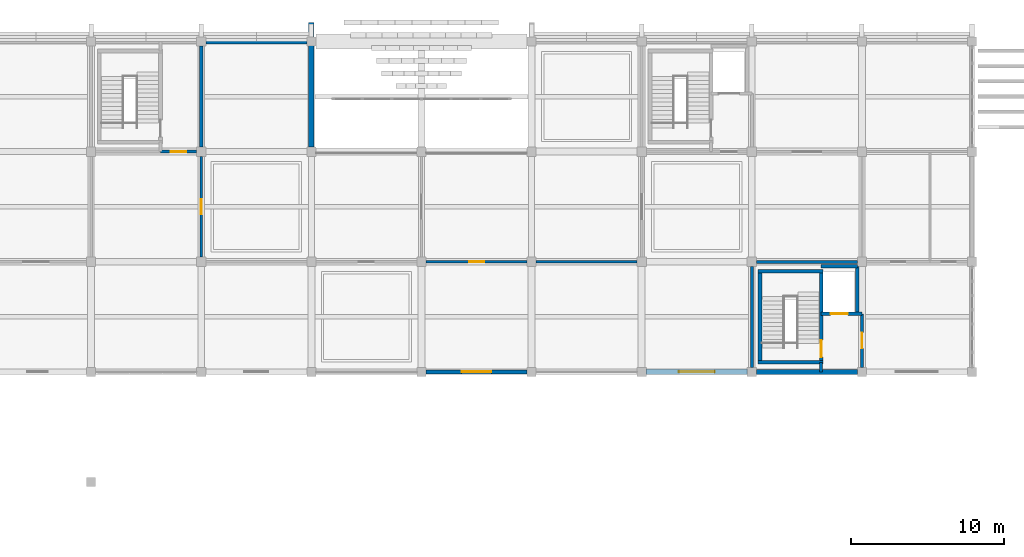
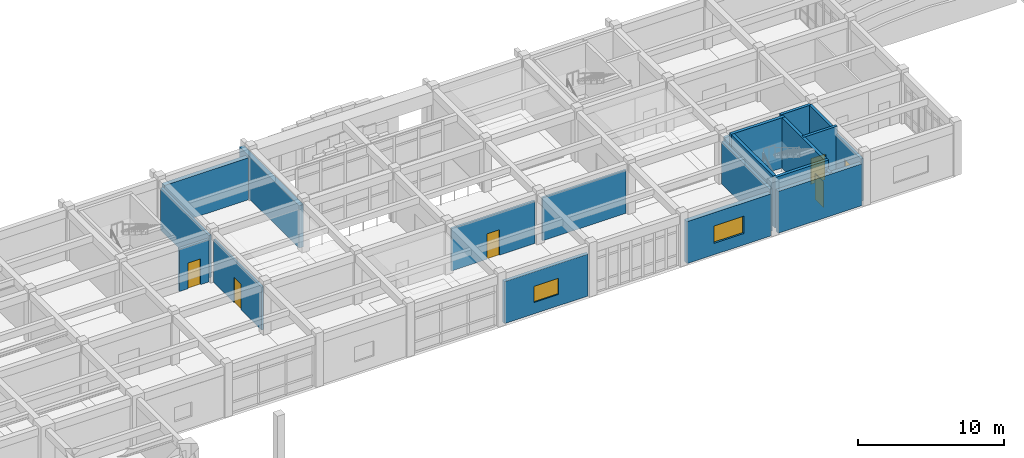
# One storey, part 66 of 81: 21 walls, 6 doors, 2 windows, 8 openings.
"""IFC4 building model written with IfcOpenShell, lengths in metres."""

from ifc_helpers import new_model, si_unit, direction, frame, frame_2d, origin, place, context, subcontext, project, spatial, rectangle, extrude, material, layer, layer_set, type_object, element, fill, save


model = new_model("IFC4")

# Units and contexts
model_context = context("Model", 3, precision=1e-05, world=origin(), true_north=direction((0.0, 1.0)))
body_context = subcontext(model_context, "Body", "Model", "MODEL_VIEW")
ifc_project = project(units=[si_unit("LENGTHUNIT", "METRE"), si_unit("AREAUNIT", "SQUARE_METRE"), si_unit("VOLUMEUNIT", "CUBIC_METRE"), si_unit("PLANEANGLEUNIT", "RADIAN"), si_unit("MASSUNIT", "GRAM", prefix="KILO")], contexts=[model_context])

# Site, building, storey
site_placement = place(None, origin())
site = spatial("IfcSite", under=ifc_project, at=site_placement, CompositionType="ELEMENT")
building_placement = place(site_placement, origin())
building = spatial("IfcBuilding", under=site, at=building_placement, Name="Kavelor Marine Aquarium", CompositionType="ELEMENT")
storey_placement = place(building_placement, frame((0.0, 0.0, 4.679931640625)))
storey = spatial("IfcBuildingStorey", under=building, at=storey_placement, Name="L01", CompositionType="ELEMENT", Elevation=4.679931640625)

# Wall, opening, window
ifc_material_1 = material(Name="Concrete C45/55", Category="concrete")
ifc_layer_1 = layer(ifc_material_1, 0.360107421875)
ifc_layer_set_1 = layer_set([ifc_layer_1], Name="WL-EX1")
wall_type_1 = type_object("IfcWallType", Name="WL-EX1", PredefinedType="STANDARD", material=ifc_layer_set_1)
wall_1_placement = place(storey_placement, frame((89.304931640625, 89.199951171875, 0.0), z_axis=(0.0, 0.0, 1.0), x_axis=(-1.0, 0.0, 0.0)))
wall_1 = element("IfcWall", 1, at=wall_1_placement, inside=storey, type_object=wall_type_1, Name="ew:x:L01:11_12", PredefinedType="STANDARD", context=body_context, shape_type="SweptSolid", body=[
    extrude(rectangle(XDim=6.60986328125, YDim=0.360107421875, at=frame_2d((3.304931640625, 0.0))), origin(), (0.0, 0.0, 1.0), 3.510009765625),
])
opening_1_placement = place(wall_1_placement, frame((2.1298828125, 0.0, 0.949951171875)))
opening_1 = element("IfcOpeningElement", 2, at=opening_1_placement, cuts=wall_1, Name="Opening W31", PredefinedType="OPENING", context=body_context, shape_type="SweptSolid", body=[
    extrude(rectangle(XDim=2.35009765625, YDim=1.449951171875, at=frame_2d((1.175048828125, 0.72509765625))), frame((0.0, 0.18994140625, 0.0), z_axis=(0.0, -1.0, 0.0), x_axis=(1.0, 0.0, 0.0)), (0.0, 0.0, 1.0), 0.380107),
])
ifc_material_2 = material(Name="Anodised Aluminium Frame with Low-E Double Glazing", Category="aluminium")
window_type_1 = type_object("IfcWindowType", Name="WIN-W31", PartitioningType="DOUBLE_PANEL_VERTICAL", PredefinedType="WINDOW", material=ifc_material_2)
window_1_placement = place(opening_1_placement, origin())
window_1 = element("IfcWindow", 3, at=window_1_placement, inside=storey, type_object=window_type_1, Name="win:x:L01:11_12", OverallHeight=1.449951171875, OverallWidth=2.35009765625, PartitioningType="SINGLE_PANEL", PredefinedType="WINDOW", context=body_context, shape_type="SweptSolid", body=[
    extrude(rectangle(XDim=2.35009765625, YDim=1.449951171875, at=frame_2d((1.175048828125, 0.72509765625))), frame((0.0, 0.030029296875, 0.0), z_axis=(0.0, -1.0, 0.0), x_axis=(1.0, 0.0, 0.0)), (0.0, 0.0, 1.0), 0.06005859375),
])
fill(opening_1, window_1)

# Walls
wall_2_placement = place(storey_placement, frame((60.800048828125, 103.89501953125, 0.0), z_axis=(0.0, 0.0, 1.0), x_axis=(0.0, 1.0, 0.0)))
element("IfcWall", 4, at=wall_2_placement, inside=storey, type_object=wall_type_1, Name="ew:portal:north:cheek:w:L01", PredefinedType="STANDARD", context=body_context, shape_type="SweptSolid", body=[
    extrude(rectangle(XDim=8.14501953125, YDim=0.360107421875, at=frame_2d((4.072509765625, 0.0))), origin(), (0.0, 0.0, 1.0), 3.5400390625),
])
ifc_material_3 = material(Name="Concrete C45/55", Category="concrete")
ifc_layer_2 = layer(ifc_material_3, 0.320068359375)
ifc_layer_set_2 = layer_set([ifc_layer_2], Name="WL-EX2")
wall_type_2 = type_object("IfcWallType", Name="WL-EX2", PredefinedType="STANDARD", material=ifc_layer_set_2)
wall_3_placement = place(storey_placement, frame((96.5048828125, 89.199951171875, 0.0), z_axis=(0.0, 0.0, 1.0), x_axis=(-1.0, 0.0, 0.0)))
element("IfcWall", 5, at=wall_3_placement, inside=storey, type_object=wall_type_2, Name="ew:x:L01:12_12", PredefinedType="STANDARD", context=body_context, shape_type="SweptSolid", body=[
    extrude(rectangle(XDim=6.60986328125, YDim=0.320068359375, at=frame_2d((3.304931640625, 0.0))), origin(), (0.0, 0.0, 1.0), 3.489990234375),
])

# Wall, opening, window
ifc_material_4 = material(Name="Concrete C40/50", Category="concrete")
ifc_layer_3 = layer(ifc_material_4, 0.260009765625)
ifc_layer_set_3 = layer_set([ifc_layer_3], Name="WL-EX5")
wall_type_3 = type_object("IfcWallType", Name="WL-EX5", PredefinedType="STANDARD", material=ifc_layer_set_3)
wall_4_placement = place(storey_placement, frame((74.905029296875, 89.199951171875, 0.0), z_axis=(0.0, 0.0, 1.0), x_axis=(-1.0, 0.0, 0.0)))
wall_4 = element("IfcWall", 6, at=wall_4_placement, inside=storey, type_object=wall_type_3, Name="ew:x:L01:09_12", PredefinedType="STANDARD", context=body_context, shape_type="SweptSolid", body=[
    extrude(rectangle(XDim=6.610107421875, YDim=0.260009765625, at=frame_2d((3.30517578125, 0.0))), origin(), (0.0, 0.0, 1.0), 3.510009765625),
])
opening_2_placement = place(wall_4_placement, frame((2.330078125, 0.0, 0.949951171875)))
opening_2 = element("IfcOpeningElement", 7, at=opening_2_placement, cuts=wall_4, Name="Opening W29", PredefinedType="OPENING", context=body_context, shape_type="SweptSolid", body=[
    extrude(rectangle(XDim=1.949951171875, YDim=1.35009765625, at=frame_2d((0.97509765625, 0.675048828125))), frame((0.0, 0.139892578125, 0.0), z_axis=(0.0, -1.0, 0.0), x_axis=(1.0, 0.0, 0.0)), (0.0, 0.0, 1.0), 0.28001),
])
ifc_material_5 = material(Name="Anodised Aluminium Frame with Low-E Double Glazing", Category="aluminium")
window_type_2 = type_object("IfcWindowType", Name="WIN-W29", PartitioningType="DOUBLE_PANEL_VERTICAL", PredefinedType="WINDOW", material=ifc_material_5)
window_2_placement = place(opening_2_placement, origin())
window_2 = element("IfcWindow", 8, at=window_2_placement, inside=storey, type_object=window_type_2, Name="win:x:L01:09_12", OverallHeight=1.35009765625, OverallWidth=1.949951171875, PartitioningType="SINGLE_PANEL", PredefinedType="WINDOW", context=body_context, shape_type="SweptSolid", body=[
    extrude(rectangle(XDim=1.949951171875, YDim=1.35009765625, at=frame_2d((0.97509765625, 0.675048828125))), frame((0.0, 0.030029296875, 0.0), z_axis=(0.0, -1.0, 0.0), x_axis=(1.0, 0.0, 0.0)), (0.0, 0.0, 1.0), 0.06005859375),
])
fill(opening_2, window_2)

# Walls
ifc_material_6 = material(Name="Concrete C45/55", Category="concrete")
ifc_layer_4 = layer(ifc_material_6, 0.340087890625)
ifc_layer_set_4 = layer_set([ifc_layer_4], Name="WL-EX6")
wall_type_4 = type_object("IfcWallType", Name="WL-EX6", PredefinedType="STANDARD", material=ifc_layer_set_4)
wall_5_placement = place(storey_placement, frame((53.89501953125, 110.800048828125, 0.0), z_axis=(0.0, 0.0, 1.0), x_axis=(1.0, 0.0, 0.0)))
element("IfcWall", 9, at=wall_5_placement, inside=storey, type_object=wall_type_4, Name="ew:x:L01:07_15", PredefinedType="STANDARD", context=body_context, shape_type="SweptSolid", body=[
    extrude(rectangle(XDim=6.60986328125, YDim=0.340087890625, at=frame_2d((3.304931640625, 0.0))), origin(), (0.0, 0.0, 1.0), 3.510009765625),
])
ifc_material_7 = material(Name="Concrete Blockwork Partition", Category="masonry")
ifc_layer_5 = layer(ifc_material_7, 0.199951171875)
ifc_layer_set_5 = layer_set([ifc_layer_5], Name="WL-PT1")
wall_type_5 = type_object("IfcWallType", Name="WL-PT1", PredefinedType="PARTITIONING", material=ifc_layer_set_5)
wall_6_placement = place(storey_placement, frame((53.60009765625, 103.89990234375, 0.0), z_axis=(0.0, 0.0, 1.0), x_axis=(0.0, 1.0, 0.0)))
element("IfcWall", 10, at=wall_6_placement, inside=storey, type_object=wall_type_5, Name="pt:lob:C05:L01:e", PredefinedType="PARTITIONING", context=body_context, shape_type="SweptSolid", body=[
    extrude(rectangle(XDim=6.60009765625, YDim=0.199951171875, at=frame_2d((3.300048828125, 0.0))), origin(), (0.0, 0.0, 1.0), 3.5400390625),
])

# Wall, opening, door
wall_7_placement = place(storey_placement, frame((50.93994140625, 103.60009765625, 0.0), z_axis=(0.0, 0.0, 1.0), x_axis=(1.0, 0.0, 0.0)))
wall_7 = element("IfcWall", 11, at=wall_7_placement, inside=storey, type_object=wall_type_5, Name="pt:lob:C05:L01:s", PredefinedType="PARTITIONING", context=body_context, shape_type="SweptSolid", body=[
    extrude(rectangle(XDim=2.360107421875, YDim=0.199951171875, at=frame_2d((1.18017578125, 0.0))), origin(), (0.0, 0.0, 1.0), 3.5400390625),
])
opening_3_placement = place(wall_7_placement, frame((0.669921875, 0.0, 0.0)))
opening_3 = element("IfcOpeningElement", 12, at=opening_3_placement, cuts=wall_7, Name="Opening SD1", PredefinedType="OPENING", context=body_context, shape_type="SweptSolid", body=[
    extrude(rectangle(XDim=1.02001953125, YDim=2.14990234375, at=frame_2d((0.510009765625, 1.074951171875))), frame((0.0, 0.10986328125, 0.0), z_axis=(0.0, -1.0, 0.0), x_axis=(1.0, 0.0, 0.0)), (0.0, 0.0, 1.0), 0.219951),
])
ifc_material_8 = material(Name="Fire-Rated Corridor Compartment Door")
door_type_1 = type_object("IfcDoorType", Name="DR-SD1", OperationType="NOTDEFINED", PredefinedType="DOOR", material=ifc_material_8)
door_1_placement = place(opening_3_placement, origin())
door_1 = element("IfcDoor", 13, at=door_1_placement, inside=storey, type_object=door_type_1, Name="Core Lobby Fire Door C05-L01", OperationType="SINGLE_SWING_RIGHT", OverallHeight=2.14990234375, OverallWidth=1.02001953125, PredefinedType="DOOR", context=body_context, shape_type="SweptSolid", body=[
    extrude(rectangle(XDim=1.02001953125, YDim=2.14990234375, at=frame_2d((0.510009765625, 1.074951171875))), frame((0.0, 0.02490234375, 0.0), z_axis=(0.0, -1.0, 0.0), x_axis=(1.0, 0.0, 0.0)), (0.0, 0.0, 1.0), 0.050048828125),
])
fill(opening_3, door_1)

# Walls
wall_8_placement = place(storey_placement, frame((94.139892578125, 89.199951171875, 0.0), z_axis=(0.0, 0.0, 1.0), x_axis=(0.0, 1.0, 0.0)))
element("IfcWall", 14, at=wall_8_placement, inside=storey, type_object=wall_type_5, Name="pt:st_close:s:C07:L01", PredefinedType="PARTITIONING", context=body_context, shape_type="SweptSolid", body=[
    extrude(rectangle(XDim=0.6201171875, YDim=0.199951171875, at=frame_2d((0.31005859375, 0.0))), origin(), (0.0, 0.0, 1.0), 3.489990234375),
])
wall_9_placement = place(storey_placement, frame((89.60009765625, 89.5, 0.0), z_axis=(0.0, 0.0, 1.0), x_axis=(0.0, 1.0, 0.0)))
element("IfcWall", 15, at=wall_9_placement, inside=storey, type_object=wall_type_5, Name="pt:lob:C07:L01:w", PredefinedType="PARTITIONING", context=body_context, shape_type="SweptSolid", body=[
    extrude(rectangle(XDim=6.60009765625, YDim=0.199951171875, at=frame_2d((3.300048828125, 0.0))), origin(), (0.0, 0.0, 1.0), 3.5400390625),
])

# Wall, opening, door
wall_10_placement = place(storey_placement, frame((96.800048828125, 89.5, 0.0), z_axis=(0.0, 0.0, 1.0), x_axis=(0.0, 1.0, 0.0)))
wall_10 = element("IfcWall", 16, at=wall_10_placement, inside=storey, type_object=wall_type_5, Name="pt:lob:C07:L01:e", PredefinedType="PARTITIONING", context=body_context, shape_type="SweptSolid", body=[
    extrude(rectangle(XDim=3.5, YDim=0.199951171875, at=frame_2d((1.75, 0.0))), origin(), (0.0, 0.0, 1.0), 3.5400390625),
])
opening_4_placement = place(wall_10_placement, frame((1.239990234375, 0.0, 0.0)))
opening_4 = element("IfcOpeningElement", 17, at=opening_4_placement, cuts=wall_10, Name="Opening SD1", PredefinedType="OPENING", context=body_context, shape_type="SweptSolid", body=[
    extrude(rectangle(XDim=1.02001953125, YDim=2.14990234375, at=frame_2d((0.510009765625, 1.074951171875))), frame((0.0, 0.10986328125, 0.0), z_axis=(0.0, -1.0, 0.0), x_axis=(1.0, 0.0, 0.0)), (0.0, 0.0, 1.0), 0.219951),
])
door_2_placement = place(opening_4_placement, origin())
door_2 = element("IfcDoor", 18, at=door_2_placement, inside=storey, type_object=door_type_1, Name="Core Lobby Fire Door C07-L01", OperationType="SINGLE_SWING_RIGHT", OverallHeight=2.14990234375, OverallWidth=1.02001953125, PredefinedType="DOOR", context=body_context, shape_type="SweptSolid", body=[
    extrude(rectangle(XDim=1.02001953125, YDim=2.14990234375, at=frame_2d((0.510009765625, 1.074951171875))), frame((0.0, 0.02490234375, 0.0), z_axis=(0.0, -1.0, 0.0), x_axis=(1.0, 0.0, 0.0)), (0.0, 0.0, 1.0), 0.050048828125),
])
fill(opening_4, door_2)

# Wall
wall_11_placement = place(storey_placement, frame((89.89990234375, 96.39990234375, 0.0), z_axis=(0.0, 0.0, 1.0), x_axis=(1.0, 0.0, 0.0)))
element("IfcWall", 19, at=wall_11_placement, inside=storey, type_object=wall_type_5, Name="pt:lob:C07:L01:n_full", PredefinedType="PARTITIONING", context=body_context, shape_type="SweptSolid", body=[
    extrude(rectangle(XDim=6.60009765625, YDim=0.199951171875, at=frame_2d((3.300048828125, 0.0))), origin(), (0.0, 0.0, 1.0), 3.590087890625),
])

# Wall, opening, door
ifc_material_9 = material(Name="Acoustic Gypsum Stud Partition")
ifc_layer_6 = layer(ifc_material_9, 0.159912109375)
ifc_layer_set_6 = layer_set([ifc_layer_6], Name="WL-PT2")
wall_type_6 = type_object("IfcWallType", Name="WL-PT2", PredefinedType="PARTITIONING", material=ifc_layer_set_6)
wall_12_placement = place(storey_placement, frame((53.60009765625, 96.699951171875, 0.0), z_axis=(0.0, 0.0, 1.0), x_axis=(0.0, 1.0, 0.0)))
wall_12 = element("IfcWall", 20, at=wall_12_placement, inside=storey, type_object=wall_type_6, Name="pt:y:L01:06_13", PredefinedType="PARTITIONING", context=body_context, shape_type="SweptSolid", body=[
    extrude(rectangle(XDim=6.60009765625, YDim=0.159912109375, at=frame_2d((3.300048828125, 0.0))), origin(), (0.0, 0.0, 1.0), 3.590087890625),
])
opening_5_placement = place(wall_12_placement, frame((2.81005859375, 0.0, 0.0)))
opening_5 = element("IfcOpeningElement", 21, at=opening_5_placement, cuts=wall_12, Name="Opening D07", PredefinedType="OPENING", context=body_context, shape_type="SweptSolid", body=[
    extrude(rectangle(XDim=0.97998046875, YDim=2.1201171875, at=frame_2d((0.489990234375, 1.06005859375))), frame((0.0, 0.08984375, 0.0), z_axis=(0.0, -1.0, 0.0), x_axis=(1.0, 0.0, 0.0)), (0.0, 0.0, 1.0), 0.179912),
])
ifc_material_10 = material(Name="Research Write-Up Timber Door", Category="wood")
door_type_2 = type_object("IfcDoorType", Name="DR-D07", OperationType="NOTDEFINED", PredefinedType="DOOR", material=ifc_material_10)
door_3_placement = place(opening_5_placement, origin())
door_3 = element("IfcDoor", 22, at=door_3_placement, inside=storey, type_object=door_type_2, Name="dr:rm:pt:y:L01:06_13:0", OperationType="SINGLE_SWING_LEFT", OverallHeight=2.1201171875, OverallWidth=0.97998046875, PredefinedType="DOOR", context=body_context, shape_type="SweptSolid", body=[
    extrude(rectangle(XDim=0.97998046875, YDim=2.1201171875, at=frame_2d((0.489990234375, 1.06005859375))), frame((0.0, 0.02490234375, 0.0), z_axis=(0.0, -1.0, 0.0), x_axis=(1.0, 0.0, 0.0)), (0.0, 0.0, 1.0), 0.050048828125),
])
fill(opening_5, door_3)

wall_13_placement = place(storey_placement, frame((68.300048828125, 96.39990234375, 0.0), z_axis=(0.0, 0.0, 1.0), x_axis=(1.0, 0.0, 0.0)))
wall_13 = element("IfcWall", 23, at=wall_13_placement, inside=storey, type_object=wall_type_6, Name="pt:x:L01:09_12", PredefinedType="PARTITIONING", context=body_context, shape_type="SweptSolid", body=[
    extrude(rectangle(XDim=6.599853515625, YDim=0.159912109375, at=frame_2d((3.2998046875, 0.0))), origin(), (0.0, 0.0, 1.0), 3.5400390625),
])
opening_6_placement = place(wall_13_placement, frame((2.81005859375, 0.0, 0.0)))
opening_6 = element("IfcOpeningElement", 24, at=opening_6_placement, cuts=wall_13, Name="Opening D07", PredefinedType="OPENING", context=body_context, shape_type="SweptSolid", body=[
    extrude(rectangle(XDim=0.97998046875, YDim=2.1201171875, at=frame_2d((0.489990234375, 1.06005859375))), frame((0.0, 0.08984375, 0.0), z_axis=(0.0, -1.0, 0.0), x_axis=(1.0, 0.0, 0.0)), (0.0, 0.0, 1.0), 0.179912),
])
door_4_placement = place(opening_6_placement, origin())
door_4 = element("IfcDoor", 25, at=door_4_placement, inside=storey, type_object=door_type_2, Name="dr:rm:pt:x:L01:09_12:0", OperationType="SINGLE_SWING_LEFT", OverallHeight=2.1201171875, OverallWidth=0.97998046875, PredefinedType="DOOR", context=body_context, shape_type="SweptSolid", body=[
    extrude(rectangle(XDim=0.97998046875, YDim=2.1201171875, at=frame_2d((0.489990234375, 1.06005859375))), frame((0.0, 0.02490234375, 0.0), z_axis=(0.0, -1.0, 0.0), x_axis=(1.0, 0.0, 0.0)), (0.0, 0.0, 1.0), 0.050048828125),
])
fill(opening_6, door_4)

# Walls
wall_14_placement = place(storey_placement, frame((75.5, 96.39990234375, 0.0), z_axis=(0.0, 0.0, 1.0), x_axis=(1.0, 0.0, 0.0)))
element("IfcWall", 26, at=wall_14_placement, inside=storey, type_object=wall_type_6, Name="pt:x:L01:10_12", PredefinedType="PARTITIONING", context=body_context, shape_type="SweptSolid", body=[
    extrude(rectangle(XDim=6.60009765625, YDim=0.159912109375, at=frame_2d((3.300048828125, 0.0))), origin(), (0.0, 0.0, 1.0), 3.590087890625),
])
ifc_material_11 = material(Name="Concrete C40/50", Category="concrete")
ifc_layer_7 = layer(ifc_material_11, 0.35009765625)
ifc_layer_set_7 = layer_set([ifc_layer_7], Name="WL-SW2")
wall_type_7 = type_object("IfcWallType", Name="WL-SW2", PredefinedType="SHEAR", material=ifc_layer_set_7)
for number, where, z_axis, x_axis, name in (
    (27, (90.02001953125, 89.820068359375, 0.0), (0.0, 0.0, 1.0), (1.0, 0.0, 0.0), "cw_st:s:C07:L01"),
    (28, (90.02001953125, 95.780029296875, 0.0), (0.0, 0.0, 1.0), (1.0, 0.0, 0.0), "cw_st:n:C07:L01"),
):
    element("IfcWall", number, at=place(storey_placement, frame(where, z_axis=z_axis, x_axis=x_axis)), inside=storey, type_object=wall_type_7, Name=name, PredefinedType="SHEAR", context=body_context, shape_type="SweptSolid", body=[
        extrude(rectangle(XDim=4.239990234375, YDim=0.239990234375, at=frame_2d((2.1201171875, 0.0))), origin(), (0.0, 0.0, 1.0), 4.199951171875),
    ])
wall_15_placement = place(storey_placement, frame((90.139892578125, 89.93994140625, 0.0), z_axis=(0.0, 0.0, 1.0), x_axis=(0.0, 1.0, 0.0)))
element("IfcWall", 29, at=wall_15_placement, inside=storey, type_object=wall_type_7, Name="cw_st:w:C07:L01", PredefinedType="SHEAR", context=body_context, shape_type="SweptSolid", body=[
    extrude(rectangle(XDim=5.719970703125, YDim=0.239990234375, at=frame_2d((2.85986328125, 0.0))), origin(), (0.0, 0.0, 1.0), 4.199951171875),
])

# Wall, opening, door
wall_16_placement = place(storey_placement, frame((94.139892578125, 89.93994140625, 0.0), z_axis=(0.0, 0.0, 1.0), x_axis=(0.0, 1.0, 0.0)))
wall_16 = element("IfcWall", 30, at=wall_16_placement, inside=storey, type_object=wall_type_7, Name="cw_st:e:C07:L01", PredefinedType="SHEAR", context=body_context, shape_type="SweptSolid", body=[
    extrude(rectangle(XDim=5.719970703125, YDim=0.239990234375, at=frame_2d((2.85986328125, 0.0))), origin(), (0.0, 0.0, 1.0), 4.199951171875),
])
opening_7_placement = place(wall_16_placement, frame((0.219970703125, 0.0, 0.0)))
opening_7 = element("IfcOpeningElement", 31, at=opening_7_placement, cuts=wall_16, Name="Opening FD1", PredefinedType="OPENING", context=body_context, shape_type="SweptSolid", body=[
    extrude(rectangle(XDim=1.1201171875, YDim=2.14990234375, at=frame_2d((0.56005859375, 1.074951171875))), frame((0.0, 0.1298828125, 0.0), z_axis=(0.0, -1.0, 0.0), x_axis=(1.0, 0.0, 0.0)), (0.0, 0.0, 1.0), 0.25999),
])
ifc_material_12 = material(Name="Fire-Rated Steel Stair and Core Door", Category="steel")
door_type_3 = type_object("IfcDoorType", Name="DR-FD1", OperationType="NOTDEFINED", PredefinedType="DOOR", material=ifc_material_12)
door_5_placement = place(opening_7_placement, origin())
door_5 = element("IfcDoor", 32, at=door_5_placement, inside=storey, type_object=door_type_3, Name="Stair Fire Door ST07-L01", OperationType="SINGLE_SWING_LEFT", OverallHeight=2.14990234375, OverallWidth=1.1201171875, PredefinedType="DOOR", context=body_context, shape_type="SweptSolid", body=[
    extrude(rectangle(XDim=1.1201171875, YDim=2.14990234375, at=frame_2d((0.56005859375, 1.074951171875))), frame((0.0, 0.02490234375, 0.0), z_axis=(0.0, -1.0, 0.0), x_axis=(1.0, 0.0, 0.0)), (0.0, 0.0, 1.0), 0.050048828125),
])
fill(opening_7, door_5)

wall_17_placement = place(storey_placement, frame((94.139892578125, 93.0, 0.0), z_axis=(0.0, 0.0, 1.0), x_axis=(1.0, 0.0, 0.0)))
wall_17 = element("IfcWall", 33, at=wall_17_placement, inside=storey, type_object=wall_type_7, Name="cw_lf:s:C07:L01", PredefinedType="SHEAR", context=body_context, shape_type="SweptSolid", body=[
    extrude(rectangle(XDim=2.66015625, YDim=0.219970703125, at=frame_2d((1.330078125, 0.0))), origin(), (0.0, 0.0, 1.0), 4.199951171875),
])
opening_8_placement = place(wall_17_placement, frame((0.610107421875, 0.0, 0.0)))
opening_8 = element("IfcOpeningElement", 34, at=opening_8_placement, cuts=wall_17, Name="Opening LD1", PredefinedType="OPENING", context=body_context, shape_type="SweptSolid", body=[
    extrude(rectangle(XDim=1.139892578125, YDim=2.14990234375, at=frame_2d((0.56982421875, 1.074951171875))), frame((0.0, 0.119873046875, 0.0), z_axis=(0.0, -1.0, 0.0), x_axis=(1.0, 0.0, 0.0)), (0.0, 0.0, 1.0), 0.239971),
])
ifc_material_13 = material(Name="Stainless Steel Lift Landing Sliding Door", Category="steel")
door_type_4 = type_object("IfcDoorType", Name="DR-LD1", OperationType="NOTDEFINED", PredefinedType="DOOR", material=ifc_material_13)
door_6_placement = place(opening_8_placement, origin())
door_6 = element("IfcDoor", 35, at=door_6_placement, inside=storey, type_object=door_type_4, Name="Lift Landing Sliding Door EL2-L01", OperationType="SLIDING_TO_LEFT", OverallHeight=2.14990234375, OverallWidth=1.139892578125, PredefinedType="DOOR", context=body_context, shape_type="SweptSolid", body=[
    extrude(rectangle(XDim=1.139892578125, YDim=2.14990234375, at=frame_2d((0.56982421875, 1.074951171875))), frame((0.0, 0.02490234375, 0.0), z_axis=(0.0, -1.0, 0.0), x_axis=(1.0, 0.0, 0.0)), (0.0, 0.0, 1.0), 0.050048828125),
])
fill(opening_8, door_6)

# Walls
wall_18_placement = place(storey_placement, frame((94.139892578125, 96.10009765625, 0.0), z_axis=(0.0, 0.0, 1.0), x_axis=(1.0, 0.0, 0.0)))
element("IfcWall", 36, at=wall_18_placement, inside=storey, type_object=wall_type_7, Name="cw_lf:n:C07:L01", PredefinedType="SHEAR", context=body_context, shape_type="SweptSolid", body=[
    extrude(rectangle(XDim=2.360107421875, YDim=0.219970703125, at=frame_2d((1.18017578125, 0.0))), origin(), (0.0, 0.0, 1.0), 4.199951171875),
])
wall_19_placement = place(storey_placement, frame((96.5, 93.0, 0.0), z_axis=(0.0, 0.0, 1.0), x_axis=(0.0, 1.0, 0.0)))
element("IfcWall", 37, at=wall_19_placement, inside=storey, type_object=wall_type_7, Name="cw_lf:e:C07:L01", PredefinedType="SHEAR", context=body_context, shape_type="SweptSolid", body=[
    extrude(rectangle(XDim=3.10009765625, YDim=0.219970703125, at=frame_2d((1.550048828125, 0.0))), origin(), (0.0, 0.0, 1.0), 4.199951171875),
])

save(model, "model.ifc")
